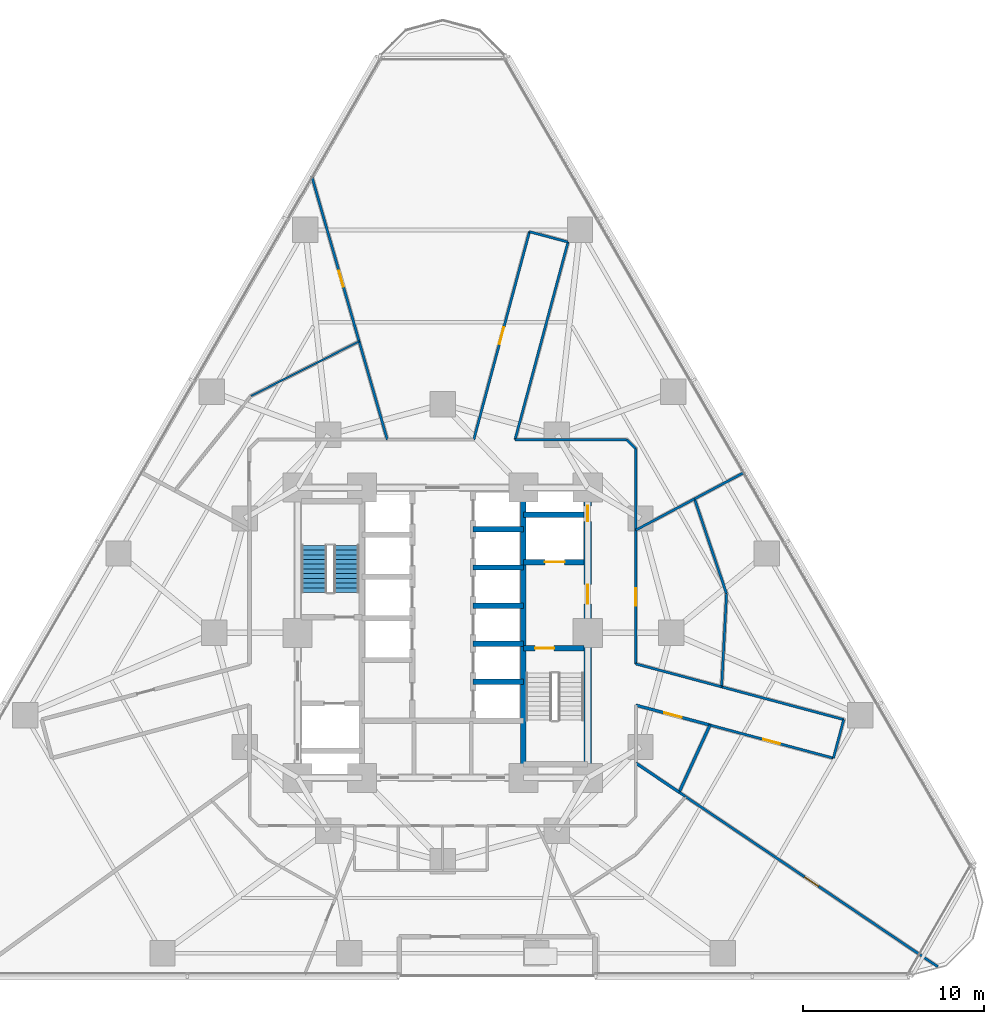
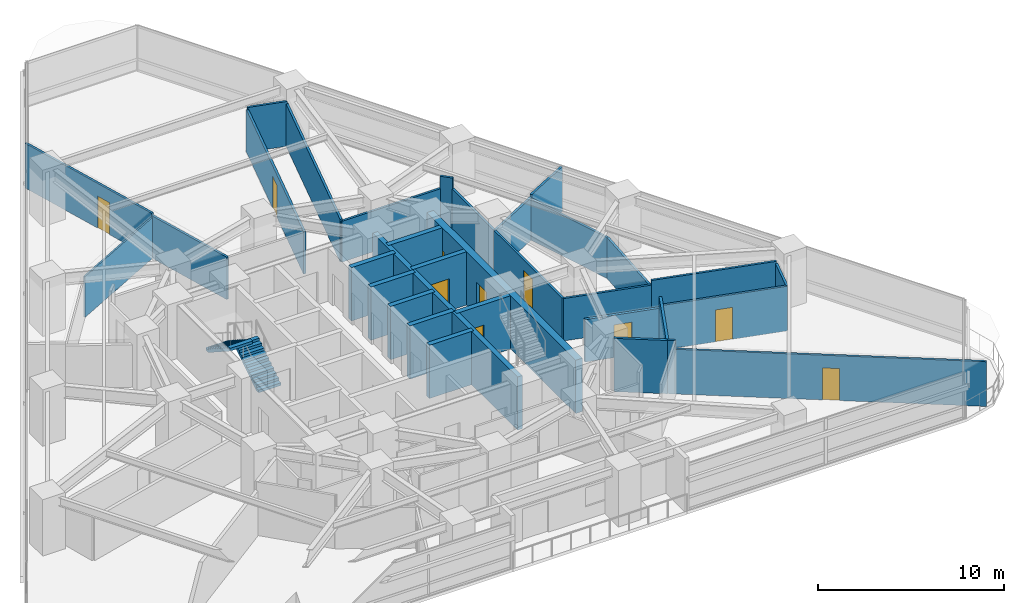
# One storey, part 10 of 16: 33 walls, 10 doors, 2 stair flights, 10 openings, 1 element without a shape of its own.
"""IFC4 building model written with IfcOpenShell, lengths in metres."""

from ifc_helpers import new_model, si_unit, direction, frame, frame_2d, origin, place, context, subcontext, project, spatial, polyline, rectangle, outline, extrude, material, layer, layer_set, type_object, element, fill, aggregate, save


model = new_model("IFC4")

# Units and contexts
model_context = context("Model", 3, precision=1e-05, world=origin(), true_north=direction((0.0, 1.0)))
body_context = subcontext(model_context, "Body", "Model", "MODEL_VIEW")
ifc_project = project(units=[si_unit("LENGTHUNIT", "METRE"), si_unit("AREAUNIT", "SQUARE_METRE"), si_unit("VOLUMEUNIT", "CUBIC_METRE"), si_unit("PLANEANGLEUNIT", "RADIAN"), si_unit("MASSUNIT", "GRAM", prefix="KILO")], contexts=[model_context])

# Site, building, storey
site_placement = place(None, origin())
site = spatial("IfcSite", under=ifc_project, at=site_placement, CompositionType="ELEMENT")
building_placement = place(site_placement, origin())
building = spatial("IfcBuilding", under=site, at=building_placement, Name="Terralouvre Media Tower", CompositionType="ELEMENT")
storey_placement = place(building_placement, frame((0.0, 0.0, 44.5)))
storey = spatial("IfcBuildingStorey", under=building, at=storey_placement, Name="L10", CompositionType="ELEMENT", Elevation=44.5)

# Wall
ifc_material_1 = material(Name="Concrete C50/60", Category="concrete")
ifc_layer_1 = layer(ifc_material_1, 0.300048828125, Name="Core Internal Shaft Wall CW-300")
ifc_layer_set_1 = layer_set([ifc_layer_1], Name="Concrete C50/60")
wall_type_1 = type_object("IfcWallType", Name="Core Internal Shaft Wall CW-300", PredefinedType="SHEAR", material=ifc_layer_set_1)
wall_1_placement = place(storey_placement, frame((4.449951171875, -7.7900390625, 0.0), z_axis=(0.0, 0.0, 1.0), x_axis=(0.0, 1.0, 0.0)))
element("IfcWall", 1, at=wall_1_placement, inside=storey, type_object=wall_type_1, Name="L10 Core Shaft Wall SPE", PredefinedType="SHEAR", context=body_context, shape_type="SweptSolid", body=[
    extrude(rectangle(XDim=15.580078125, YDim=0.300048828125, at=frame_2d((7.7900390625, 0.0))), origin(), (0.0, 0.0, 1.0), 3.5),
])

# Wall, opening, door
wall_2_placement = place(storey_placement, frame((4.449951171875, -0.85009765625, 0.0), z_axis=(0.0, 0.0, 1.0), x_axis=(1.0, 0.0, 0.0)))
wall_2 = element("IfcWall", 2, at=wall_2_placement, inside=storey, type_object=wall_type_1, Name="L10 Core Shaft Wall ST2D", PredefinedType="SHEAR", context=body_context, shape_type="SweptSolid", body=[
    extrude(rectangle(XDim=3.340087890625, YDim=0.300048828125, at=frame_2d((1.669921875, 0.0))), origin(), (0.0, 0.0, 1.0), 3.5),
])
opening_1_placement = place(wall_2_placement, frame((0.64990234375, 0.0, 0.0)))
opening_1 = element("IfcOpeningElement", 3, at=opening_1_placement, cuts=wall_2, Name="Opening FD-01-105X215", PredefinedType="OPENING", context=body_context, shape_type="SweptSolid", body=[
    extrude(rectangle(XDim=1.050048828125, YDim=2.14990234375, at=frame_2d((0.52490234375, 1.074951171875))), frame((0.0, 0.159912109375, 0.0), z_axis=(0.0, -1.0, 0.0), x_axis=(1.0, 0.0, 0.0)), (0.0, 0.0, 1.0), 0.320068359375),
])
ifc_material_2 = material(Name="Galvanised steel fire-resisting leaf", Category="steel")
door_type_1 = type_object("IfcDoorType", Name="Stair and Firefighting Lobby Fire Door FD-01 (1050x2150)", OperationType="NOTDEFINED", PredefinedType="DOOR", material=ifc_material_2)
door_1_placement = place(opening_1_placement, origin())
door_1 = element("IfcDoor", 4, at=door_1_placement, inside=storey, type_object=door_type_1, Name="L10 ST-02 Exit Stair Door", OperationType="SINGLE_SWING_RIGHT", OverallHeight=2.14990234375, OverallWidth=1.050048828125, PredefinedType="DOOR", context=body_context, shape_type="SweptSolid", body=[
    extrude(rectangle(XDim=1.050048828125, YDim=2.14990234375, at=frame_2d((0.52490234375, 1.074951171875))), frame((0.0, 0.02490234375, 0.0), z_axis=(0.0, -1.0, 0.0), x_axis=(1.0, 0.0, 0.0)), (0.0, 0.0, 1.0), 0.050048828125),
])
fill(opening_1, door_1)

wall_3_placement = place(storey_placement, frame((4.449951171875, 3.89990234375, 0.0), z_axis=(0.0, 0.0, 1.0), x_axis=(1.0, 0.0, 0.0)))
wall_3 = element("IfcWall", 5, at=wall_3_placement, inside=storey, type_object=wall_type_1, Name="L10 Core Shaft Wall FF2S", PredefinedType="SHEAR", context=body_context, shape_type="SweptSolid", body=[
    extrude(rectangle(XDim=3.340087890625, YDim=0.300048828125, at=frame_2d((1.669921875, 0.0))), origin(), (0.0, 0.0, 1.0), 3.5),
])
opening_2_placement = place(wall_3_placement, frame((1.179931640625, 0.0, 0.0)))
opening_2 = element("IfcOpeningElement", 6, at=opening_2_placement, cuts=wall_3, Name="Opening LD-FF", PredefinedType="OPENING", context=body_context, shape_type="SweptSolid", body=[
    extrude(rectangle(XDim=1.10009765625, YDim=2.10009765625, at=frame_2d((0.550048828125, 1.050048828125))), frame((0.0, 0.159912109375, 0.0), z_axis=(0.0, -1.0, 0.0), x_axis=(1.0, 0.0, 0.0)), (0.0, 0.0, 1.0), 0.320068359375),
])
ifc_material_3 = material(Name="Stainless steel 316 handrail and balustrade", Category="steel")
door_type_2 = type_object("IfcDoorType", Name="Firefighting Lift Sliding Landing Door LD-FF", OperationType="SLIDING_TO_LEFT", PredefinedType="DOOR", material=ifc_material_3)
door_2_placement = place(opening_2_placement, origin())
door_2 = element("IfcDoor", 7, at=door_2_placement, inside=storey, type_object=door_type_2, Name="L10 Firefighting Lift FFL-02 Landing Door", OperationType="SLIDING_TO_LEFT", OverallHeight=2.10009765625, OverallWidth=1.10009765625, PredefinedType="DOOR", context=body_context, shape_type="SweptSolid", body=[
    extrude(rectangle(XDim=1.10009765625, YDim=2.10009765625, at=frame_2d((0.550048828125, 1.050048828125))), frame((0.0, 0.02490234375, 0.0), z_axis=(0.0, -1.0, 0.0), x_axis=(1.0, 0.0, 0.0)), (0.0, 0.0, 1.0), 0.050048828125),
])
fill(opening_2, door_2)

# Walls
wall_4_placement = place(storey_placement, frame((4.449951171875, 6.5, 0.0), z_axis=(0.0, 0.0, 1.0), x_axis=(1.0, 0.0, 0.0)))
element("IfcWall", 8, at=wall_4_placement, inside=storey, type_object=wall_type_1, Name="L10 Core Shaft Wall FF2N", PredefinedType="SHEAR", context=body_context, shape_type="SweptSolid", body=[
    extrude(rectangle(XDim=3.340087890625, YDim=0.300048828125, at=frame_2d((1.669921875, 0.0))), origin(), (0.0, 0.0, 1.0), 3.5),
])
for number, where, z_axis, x_axis, name in (
    (9, (1.679931640625, 1.5, 0.0), (0.0, 0.0, 1.0), (1.0, 0.0, 0.0), "L10 Core Shaft Wall PLMD0"),
    (10, (1.679931640625, 3.60009765625, 0.0), (0.0, 0.0, 1.0), (1.0, 0.0, 0.0), "L10 Core Shaft Wall PLMD1"),
    (11, (1.679931640625, 5.699951171875, 0.0), (0.0, 0.0, 1.0), (1.0, 0.0, 0.0), "L10 Core Shaft Wall PLMD2"),
    (12, (1.679931640625, -2.699951171875, 0.0), (0.0, 0.0, 1.0), (1.0, 0.0, 0.0), "L10 Core Shaft Wall PLHD1"),
    (13, (1.679931640625, -0.60009765625, 0.0), (0.0, 0.0, 1.0), (1.0, 0.0, 0.0), "L10 Core Shaft Wall PLHD2"),
):
    element("IfcWall", number, at=place(storey_placement, frame(where, z_axis=z_axis, x_axis=x_axis)), inside=storey, type_object=wall_type_1, Name=name, PredefinedType="SHEAR", context=body_context, shape_type="SweptSolid", body=[
        extrude(rectangle(XDim=2.77001953125, YDim=0.300048828125, at=frame_2d((1.385009765625, 0.0))), origin(), (0.0, 0.0, 1.0), 3.5),
    ])

# Wall, openings, doors
ifc_material_4 = material(Name="Concrete C60/75", Category="concrete")
ifc_layer_2 = layer(ifc_material_4, 0.419921875, Name="Core Reinforced Concrete Shear Wall CW-420")
ifc_layer_set_2 = layer_set([ifc_layer_2], Name="Concrete C60/75")
wall_type_2 = type_object("IfcWallType", Name="Core Reinforced Concrete Shear Wall CW-420", PredefinedType="SHEAR", material=ifc_layer_set_2)
wall_5_placement = place(storey_placement, frame((8.0, -8.0, 0.0), z_axis=(0.0, 0.0, 1.0), x_axis=(0.0, 1.0, 0.0)))
wall_5 = element("IfcWall", 14, at=wall_5_placement, inside=storey, type_object=wall_type_2, Name="L10 E Core Shear Wall", PredefinedType="SHEAR", context=body_context, shape_type="SweptSolid", body=[
    extrude(rectangle(XDim=16.0, YDim=0.419921875, at=frame_2d((8.0, 0.0))), origin(), (0.0, 0.0, 1.0), 3.5),
])
opening_3_placement = place(wall_5_placement, frame((9.60009765625, 0.0, 0.0)))
opening_3 = element("IfcOpeningElement", 15, at=opening_3_placement, cuts=wall_5, Name="Opening FD-01-105X215", PredefinedType="OPENING", context=body_context, shape_type="SweptSolid", body=[
    extrude(rectangle(XDim=1.050048828125, YDim=2.14990234375, at=frame_2d((0.52490234375, 1.074951171875))), frame((0.0, 0.219970703125, 0.0), z_axis=(0.0, -1.0, 0.0), x_axis=(1.0, 0.0, 0.0)), (0.0, 0.0, 1.0), 0.43994140625),
])
opening_4_placement = place(wall_5_placement, frame((14.148193359375, 0.0, 0.0)))
opening_4 = element("IfcOpeningElement", 16, at=opening_4_placement, cuts=wall_5, Name="Opening TD-R1", PredefinedType="OPENING", context=body_context, shape_type="SweptSolid", body=[
    extrude(rectangle(XDim=0.85009765625, YDim=2.02001953125, at=frame_2d((0.425048828125, 1.010009765625))), frame((0.0, 0.219970703125, 0.0), z_axis=(0.0, -1.0, 0.0), x_axis=(1.0, 0.0, 0.0)), (0.0, 0.0, 1.0), 0.43994140625),
])
ifc_material_5 = material(Name="Galvanised steel fire-resisting leaf", Category="steel")
door_type_3 = type_object("IfcDoorType", Name="Riser Inspection Access Trapdoor TD-R1", OperationType="NOTDEFINED", PredefinedType="TRAPDOOR", material=ifc_material_5)
door_3_placement = place(opening_4_placement, origin())
door_3 = element("IfcDoor", 17, at=door_3_placement, inside=storey, type_object=door_type_3, Name="L10 East Comms Riser Access Trapdoor", OperationType="SINGLE_SWING_RIGHT", OverallHeight=2.02001953125, OverallWidth=0.85009765625, PredefinedType="TRAPDOOR", context=body_context, shape_type="SweptSolid", body=[
    extrude(rectangle(XDim=0.85009765625, YDim=2.02001953125, at=frame_2d((0.425048828125, 1.010009765625))), frame((0.0, 0.02490234375, 0.0), z_axis=(0.0, -1.0, 0.0), x_axis=(1.0, 0.0, 0.0)), (0.0, 0.0, 1.0), 0.050048828125),
])
fill(opening_4, door_3)
door_4_placement = place(opening_3_placement, origin())
door_4 = element("IfcDoor", 18, at=door_4_placement, inside=storey, type_object=door_type_1, Name="L10 East Firefighting Lobby Entry Door", OperationType="SINGLE_SWING_LEFT", OverallHeight=2.14990234375, OverallWidth=1.050048828125, PredefinedType="DOOR", context=body_context, shape_type="SweptSolid", body=[
    extrude(rectangle(XDim=1.050048828125, YDim=2.14990234375, at=frame_2d((0.52490234375, 1.074951171875))), frame((0.0, 0.02490234375, 0.0), z_axis=(0.0, -1.0, 0.0), x_axis=(1.0, 0.0, 0.0)), (0.0, 0.0, 1.0), 0.050048828125),
])
fill(opening_3, door_4)

# Walls
ifc_material_6 = material(Name="Low-iron laminated double glazing with solar-control coating", Category="glass")
ifc_layer_3 = layer(ifc_material_6, 0.10009765625, Name="Demountable Glazed Office Partition PT-GL100")
ifc_layer_set_3 = layer_set([ifc_layer_3], Name="Low-iron laminated double glazing with solar-control coating")
wall_type_3 = type_object("IfcWallType", Name="Demountable Glazed Office Partition PT-GL100", PredefinedType="MOVABLE", material=ifc_layer_set_3)
wall_6_placement = place(storey_placement, frame((-10.572998046875, 13.055908203125, 0.0), z_axis=(0.0, 0.0, 1.0), x_axis=(0.893012396789, 0.450032064615, 0.0)))
element("IfcWall", 19, at=wall_6_placement, inside=storey, type_object=wall_type_3, Name="L10 Interior Partition 064", PredefinedType="MOVABLE", context=body_context, shape_type="SweptSolid", body=[
    extrude(rectangle(XDim=6.681884765625, YDim=0.10009765625, at=frame_2d((3.3408203125, 0.0))), origin(), (0.0, 0.0, 1.0), 2.68505859375),
])
ifc_material_7 = material(Name="Fire-rated gypsum board drywall partition")
ifc_layer_4 = layer(ifc_material_7, 0.135009765625, Name="Newsroom Acoustic Partition PT-135")
ifc_layer_set_4 = layer_set([ifc_layer_4], Name="Fire-rated gypsum board drywall partition")
wall_type_4 = type_object("IfcWallType", Name="Newsroom Acoustic Partition PT-135", PredefinedType="PARTITIONING", material=ifc_layer_set_4)
wall_7_placement = place(storey_placement, frame((10.64990234375, 5.6630859375, 0.0), z_axis=(0.0, 0.0, 1.0), x_axis=(0.0, 1.0, 0.0)))
element("IfcWall", 20, at=wall_7_placement, inside=storey, type_object=wall_type_4, Name="L10 Interior Partition 001", PredefinedType="PARTITIONING", context=body_context, shape_type="SweptSolid", body=[
    extrude(rectangle(XDim=4.48681640625, YDim=0.135009765625, at=frame_2d((2.243408203125, 0.0))), origin(), (0.0, 0.0, 1.0), 2.784912109375),
])
wall_8_placement = place(storey_placement, frame((10.64990234375, 10.14990234375, 0.0), z_axis=(0.0, 0.0, 1.0), x_axis=(-0.707106781187, 0.707106781187, 0.0)))
element("IfcWall", 21, at=wall_8_placement, inside=storey, type_object=wall_type_4, Name="L10 Interior Partition 002", PredefinedType="PARTITIONING", context=body_context, shape_type="SweptSolid", body=[
    extrude(rectangle(XDim=0.70703125, YDim=0.135009765625, at=frame_2d((0.353515625, 0.0))), origin(), (0.0, 0.0, 1.0), 3.5),
])
wall_9_placement = place(storey_placement, frame((10.14990234375, 10.64990234375, 0.0), z_axis=(0.0, 0.0, 1.0), x_axis=(-1.0, 0.0, 0.0)))
element("IfcWall", 22, at=wall_9_placement, inside=storey, type_object=wall_type_4, Name="L10 Interior Partition 003", PredefinedType="PARTITIONING", context=body_context, shape_type="SweptSolid", body=[
    extrude(rectangle(XDim=6.157958984375, YDim=0.135009765625, at=frame_2d((3.0791015625, 0.0))), origin(), (0.0, 0.0, 1.0), 2.68505859375),
])
wall_10_placement = place(storey_placement, frame((3.991943359375, 10.64990234375, 0.0), z_axis=(0.0, 0.0, 1.0), x_axis=(0.258889712088, 0.965906888357, 0.0)))
element("IfcWall", 23, at=wall_10_placement, inside=storey, type_object=wall_type_4, Name="L10 Interior Partition 004", PredefinedType="PARTITIONING", context=body_context, shape_type="SweptSolid", body=[
    extrude(rectangle(XDim=11.279541015625, YDim=0.135009765625, at=frame_2d((5.6396484375, 0.0))), origin(), (0.0, 0.0, 1.0), 2.784912109375),
])
wall_11_placement = place(storey_placement, frame((6.912109375, 21.544921875, 0.0), z_axis=(0.0, 0.0, 1.0), x_axis=(-0.965848933329, 0.259105843213, 0.0)))
element("IfcWall", 24, at=wall_11_placement, inside=storey, type_object=wall_type_4, Name="L10 Interior Partition 005", PredefinedType="PARTITIONING", context=body_context, shape_type="SweptSolid", body=[
    extrude(rectangle(XDim=2.2001953125, YDim=0.135009765625, at=frame_2d((1.10009765625, 0.0))), origin(), (0.0, 0.0, 1.0), 2.93505859375),
])

# Wall, opening, door
wall_12_placement = place(storey_placement, frame((4.787109375, 22.114990234375, 0.0), z_axis=(0.0, 0.0, 1.0), x_axis=(-0.258815935688, -0.965926659449, 0.0)))
wall_12 = element("IfcWall", 25, at=wall_12_placement, inside=storey, type_object=wall_type_4, Name="L10 Interior Partition 006", PredefinedType="PARTITIONING", context=body_context, shape_type="SweptSolid", body=[
    extrude(rectangle(XDim=11.86962890625, YDim=0.135009765625, at=frame_2d((5.934814453125, 0.0))), origin(), (0.0, 0.0, 1.0), 2.784912109375),
])
opening_5_placement = place(wall_12_placement, frame((5.459716796875, 0.0, 0.0)))
opening_5 = element("IfcOpeningElement", 26, at=opening_5_placement, cuts=wall_12, Name="Opening ID-02-95X210", PredefinedType="OPENING", context=body_context, shape_type="SweptSolid", body=[
    extrude(rectangle(XDim=0.949951171875, YDim=2.10009765625, at=frame_2d((0.47509765625, 1.050048828125))), frame((0.0, 0.077392578125, 0.0), z_axis=(0.0, -1.0, 0.0), x_axis=(1.0, 0.0, 0.0)), (0.0, 0.0, 1.0), 0.155029296875),
])
ifc_material_8 = material(Name="Engineered hardwood acoustic timber leaf", Category="wood")
door_type_4 = type_object("IfcDoorType", Name="Office and Meeting Room Door ID-02 (950x2100)", OperationType="NOTDEFINED", PredefinedType="DOOR", material=ifc_material_8)
door_5_placement = place(opening_5_placement, origin())
door_5 = element("IfcDoor", 27, at=door_5_placement, inside=storey, type_object=door_type_4, Name="L10 Broadcast Floor Crew Room 1 Door", OperationType="SINGLE_SWING_RIGHT", OverallHeight=2.10009765625, OverallWidth=0.949951171875, PredefinedType="DOOR", context=body_context, shape_type="SweptSolid", body=[
    extrude(rectangle(XDim=0.949951171875, YDim=2.10009765625, at=frame_2d((0.47509765625, 1.050048828125))), frame((0.0, 0.02490234375, 0.0), z_axis=(0.0, -1.0, 0.0), x_axis=(1.0, 0.0, 0.0)), (0.0, 0.0, 1.0), 0.050048828125),
])
fill(opening_5, door_5)

wall_13_placement = place(storey_placement, frame((14.739990234375, -5.087890625, 0.0), z_axis=(0.0, 0.0, 1.0), x_axis=(0.965895912523, -0.258930659002, 0.0)))
wall_13 = element("IfcWall", 28, at=wall_13_placement, inside=storey, type_object=wall_type_4, Name="L10 Interior Partition 015", PredefinedType="PARTITIONING", context=body_context, shape_type="SweptSolid", body=[
    extrude(rectangle(XDim=7.045166015625, YDim=0.135009765625, at=frame_2d((3.5224609375, 0.0))), origin(), (0.0, 0.0, 1.0), 2.93505859375),
])
opening_6_placement = place(wall_13_placement, frame((3.047607421875, 0.0, 0.0)))
opening_6 = element("IfcOpeningElement", 29, at=opening_6_placement, cuts=wall_13, Name="Opening ID-02-95X210", PredefinedType="OPENING", context=body_context, shape_type="SweptSolid", body=[
    extrude(rectangle(XDim=0.949951171875, YDim=2.10009765625, at=frame_2d((0.47509765625, 1.050048828125))), frame((0.0, 0.077392578125, 0.0), z_axis=(0.0, -1.0, 0.0), x_axis=(1.0, 0.0, 0.0)), (0.0, 0.0, 1.0), 0.155029296875),
])
door_6_placement = place(opening_6_placement, origin())
door_6 = element("IfcDoor", 30, at=door_6_placement, inside=storey, type_object=door_type_4, Name="L10 Creative Set Workshop 4 Door", OperationType="SINGLE_SWING_LEFT", OverallHeight=2.10009765625, OverallWidth=0.949951171875, PredefinedType="DOOR", context=body_context, shape_type="SweptSolid", body=[
    extrude(rectangle(XDim=0.949951171875, YDim=2.10009765625, at=frame_2d((0.47509765625, 1.050048828125))), frame((0.0, 0.02490234375, 0.0), z_axis=(0.0, -1.0, 0.0), x_axis=(1.0, 0.0, 0.0)), (0.0, 0.0, 1.0), 0.050048828125),
])
fill(opening_6, door_6)

# Walls
wall_14_placement = place(storey_placement, frame((21.544921875, -6.912109375, 0.0), z_axis=(0.0, 0.0, 1.0), x_axis=(0.259105843213, 0.965848933329, 0.0)))
element("IfcWall", 31, at=wall_14_placement, inside=storey, type_object=wall_type_4, Name="L10 Interior Partition 016", PredefinedType="PARTITIONING", context=body_context, shape_type="SweptSolid", body=[
    extrude(rectangle(XDim=2.2001953125, YDim=0.135009765625, at=frame_2d((1.10009765625, 0.0))), origin(), (0.0, 0.0, 1.0), 2.93505859375),
])
wall_15_placement = place(storey_placement, frame((22.114990234375, -4.787109375, 0.0), z_axis=(0.0, 0.0, 1.0), x_axis=(-0.965912084765, 0.258870323726, 0.0)))
element("IfcWall", 32, at=wall_15_placement, inside=storey, type_object=wall_type_4, Name="L10 Interior Partition 017", PredefinedType="PARTITIONING", context=body_context, shape_type="SweptSolid", body=[
    extrude(rectangle(XDim=6.969482421875, YDim=0.135009765625, at=frame_2d((3.48486328125, 0.0))), origin(), (0.0, 0.0, 1.0), 3.0849609375),
])
wall_16_placement = place(storey_placement, frame((15.383056640625, -2.98291015625, 0.0), z_axis=(0.0, 0.0, 1.0), x_axis=(-0.965947384406, 0.258738575706, 0.0)))
element("IfcWall", 33, at=wall_16_placement, inside=storey, type_object=wall_type_4, Name="L10 Interior Partition 018", PredefinedType="PARTITIONING", context=body_context, shape_type="SweptSolid", body=[
    extrude(rectangle(XDim=4.89990234375, YDim=0.135009765625, at=frame_2d((2.449951171875, 0.0))), origin(), (0.0, 0.0, 1.0), 2.784912109375),
])

# Wall, opening, door
wall_17_placement = place(storey_placement, frame((10.64990234375, -1.715087890625, 0.0), z_axis=(0.0, 0.0, 1.0), x_axis=(0.0, 1.0, 0.0)))
wall_17 = element("IfcWall", 34, at=wall_17_placement, inside=storey, type_object=wall_type_4, Name="L10 Interior Partition 019", PredefinedType="PARTITIONING", context=body_context, shape_type="SweptSolid", body=[
    extrude(rectangle(XDim=7.378173828125, YDim=0.135009765625, at=frame_2d((3.68896484375, 0.0))), origin(), (0.0, 0.0, 1.0), 2.784912109375),
])
opening_7_placement = place(wall_17_placement, frame((3.214111328125, 0.0, 0.0)))
opening_7 = element("IfcOpeningElement", 35, at=opening_7_placement, cuts=wall_17, Name="Opening ID-02-95X210", PredefinedType="OPENING", context=body_context, shape_type="SweptSolid", body=[
    extrude(rectangle(XDim=0.949951171875, YDim=2.10009765625, at=frame_2d((0.47509765625, 1.050048828125))), frame((0.0, 0.077392578125, 0.0), z_axis=(0.0, -1.0, 0.0), x_axis=(1.0, 0.0, 0.0)), (0.0, 0.0, 1.0), 0.155029296875),
])
door_7_placement = place(opening_7_placement, origin())
door_7 = element("IfcDoor", 36, at=door_7_placement, inside=storey, type_object=door_type_4, Name="L10 Editorial Collaborative Open Office 5 Door", OperationType="SINGLE_SWING_RIGHT", OverallHeight=2.10009765625, OverallWidth=0.949951171875, PredefinedType="DOOR", context=body_context, shape_type="SweptSolid", body=[
    extrude(rectangle(XDim=0.949951171875, YDim=2.10009765625, at=frame_2d((0.47509765625, 1.050048828125))), frame((0.0, 0.02490234375, 0.0), z_axis=(0.0, -1.0, 0.0), x_axis=(1.0, 0.0, 0.0)), (0.0, 0.0, 1.0), 0.050048828125),
])
fill(opening_7, door_7)

# Walls
wall_18_placement = place(storey_placement, frame((13.885986328125, 7.383056640625, 0.0), z_axis=(0.0, 0.0, 1.0), x_axis=(0.88293033741, 0.469504014126, 0.0)))
element("IfcWall", 37, at=wall_18_placement, inside=storey, type_object=wall_type_4, Name="L10 Interior Partition 033", PredefinedType="PARTITIONING", context=body_context, shape_type="SweptSolid", body=[
    extrude(rectangle(XDim=3.12158203125, YDim=0.135009765625, at=frame_2d((1.560791015625, 0.0))), origin(), (0.0, 0.0, 1.0), 2.93505859375),
])
wall_19_placement = place(storey_placement, frame((10.64990234375, 5.6630859375, 0.0), z_axis=(0.0, 0.0, 1.0), x_axis=(0.88302513666, 0.469325695041, 0.0)))
element("IfcWall", 38, at=wall_19_placement, inside=storey, type_object=wall_type_4, Name="L10 Interior Partition 034", PredefinedType="PARTITIONING", context=body_context, shape_type="SweptSolid", body=[
    extrude(rectangle(XDim=3.664794921875, YDim=0.135009765625, at=frame_2d((1.83251953125, 0.0))), origin(), (0.0, 0.0, 1.0), 2.784912109375),
])

# Wall, opening, door
wall_20_placement = place(storey_placement, frame((-7.21826171875, 25.171142578125, 0.0), z_axis=(0.0, 0.0, 1.0), x_axis=(0.275694254482, -0.961245378686, 0.0)))
wall_20 = element("IfcWall", 39, at=wall_20_placement, inside=storey, type_object=wall_type_4, Name="L10 Interior Partition 035", PredefinedType="PARTITIONING", context=body_context, shape_type="SweptSolid", body=[
    extrude(rectangle(XDim=9.475341796875, YDim=0.135009765625, at=frame_2d((4.73779296875, 0.0))), origin(), (0.0, 0.0, 1.0), 2.93505859375),
])
opening_8_placement = place(wall_20_placement, frame((5.414794921875, 0.0, 0.0)))
opening_8 = element("IfcOpeningElement", 40, at=opening_8_placement, cuts=wall_20, Name="Opening ID-03-92X210", PredefinedType="OPENING", context=body_context, shape_type="SweptSolid", body=[
    extrude(rectangle(XDim=0.919921875, YDim=2.10009765625, at=frame_2d((0.4599609375, 1.050048828125))), frame((0.0, 0.077392578125, 0.0), z_axis=(0.0, -1.0, 0.0), x_axis=(1.0, 0.0, 0.0)), (0.0, 0.0, 1.0), 0.155029296875),
])
ifc_material_9 = material(Name="Engineered hardwood acoustic timber leaf", Category="wood")
door_type_5 = type_object("IfcDoorType", Name="Accessible Restroom and Suite Door ID-03 (920x2100)", OperationType="NOTDEFINED", PredefinedType="DOOR", material=ifc_material_9)
door_8_placement = place(opening_8_placement, origin())
door_8 = element("IfcDoor", 41, at=door_8_placement, inside=storey, type_object=door_type_5, Name="L10 Script Readout Seminar Room 11 Door", OperationType="SINGLE_SWING_RIGHT", OverallHeight=2.10009765625, OverallWidth=0.919921875, PredefinedType="DOOR", context=body_context, shape_type="SweptSolid", body=[
    extrude(rectangle(XDim=0.919921875, YDim=2.10009765625, at=frame_2d((0.4599609375, 1.050048828125))), frame((0.0, 0.02490234375, 0.0), z_axis=(0.0, -1.0, 0.0), x_axis=(1.0, 0.0, 0.0)), (0.0, 0.0, 1.0), 0.050048828125),
])
fill(opening_8, door_8)

# Walls
wall_21_placement = place(storey_placement, frame((-4.60595703125, 16.06298828125, 0.0), z_axis=(0.0, 0.0, 1.0), x_axis=(0.275608564, -0.961269951392, 0.0)))
element("IfcWall", 42, at=wall_21_placement, inside=storey, type_object=wall_type_4, Name="L10 Interior Partition 036", PredefinedType="PARTITIONING", context=body_context, shape_type="SweptSolid", body=[
    extrude(rectangle(XDim=5.631103515625, YDim=0.135009765625, at=frame_2d((2.8154296875, 0.0))), origin(), (0.0, 0.0, 1.0), 2.784912109375),
])
wall_22_placement = place(storey_placement, frame((13.885986328125, 7.383056640625, 0.0), z_axis=(0.0, 0.0, 1.0), x_axis=(0.320099223205, -0.947384023141, 0.0)))
element("IfcWall", 43, at=wall_22_placement, inside=storey, type_object=wall_type_4, Name="L10 Interior Partition 043", PredefinedType="PARTITIONING", context=body_context, shape_type="SweptSolid", body=[
    extrude(rectangle(XDim=5.5205078125, YDim=0.135009765625, at=frame_2d((2.76025390625, 0.0))), origin(), (0.0, 0.0, 1.0), 2.68505859375),
])
wall_23_placement = place(storey_placement, frame((15.653076171875, 2.153076171875, 0.0), z_axis=(0.0, 0.0, 1.0), x_axis=(-0.05250152841, -0.998620843721, 0.0)))
element("IfcWall", 44, at=wall_23_placement, inside=storey, type_object=wall_type_4, Name="L10 Interior Partition 044", PredefinedType="PARTITIONING", context=body_context, shape_type="SweptSolid", body=[
    extrude(rectangle(XDim=5.14306640625, YDim=0.135009765625, at=frame_2d((2.571533203125, 0.0))), origin(), (0.0, 0.0, 1.0), 2.68505859375),
])
wall_24_placement = place(storey_placement, frame((13.0380859375, -8.7939453125, 0.0), z_axis=(0.0, 0.0, 1.0), x_axis=(0.828163729679, -0.560486250361, 0.0)))
element("IfcWall", 45, at=wall_24_placement, inside=storey, type_object=wall_type_4, Name="L10 Interior Partition 045", PredefinedType="PARTITIONING", context=body_context, shape_type="SweptSolid", body=[
    extrude(rectangle(XDim=0.417724609375, YDim=0.135009765625, at=frame_2d((0.208984375, 0.0))), origin(), (0.0, 0.0, 1.0), 3.5),
])

# Wall, opening, door
wall_25_placement = place(storey_placement, frame((13.384033203125, -9.028076171875, 0.0), z_axis=(0.0, 0.0, 1.0), x_axis=(0.829042972493, -0.55918489765, 0.0)))
wall_25 = element("IfcWall", 46, at=wall_25_placement, inside=storey, type_object=wall_type_4, Name="L10 Interior Partition 046", PredefinedType="PARTITIONING", context=body_context, shape_type="SweptSolid", body=[
    extrude(rectangle(XDim=16.791259765625, YDim=0.135009765625, at=frame_2d((8.3955078125, 0.0))), origin(), (0.0, 0.0, 1.0), 2.93505859375),
])
opening_9_placement = place(wall_25_placement, frame((7.935546875, 0.0, 0.0)))
opening_9 = element("IfcOpeningElement", 47, at=opening_9_placement, cuts=wall_25, Name="Opening ID-03-92X210", PredefinedType="OPENING", context=body_context, shape_type="SweptSolid", body=[
    extrude(rectangle(XDim=0.919921875, YDim=2.10009765625, at=frame_2d((0.4599609375, 1.050048828125))), frame((0.0, 0.077392578125, 0.0), z_axis=(0.0, -1.0, 0.0), x_axis=(1.0, 0.0, 0.0)), (0.0, 0.0, 1.0), 0.155029296875),
])
door_9_placement = place(opening_9_placement, origin())
door_9 = element("IfcDoor", 48, at=door_9_placement, inside=storey, type_object=door_type_5, Name="L10 Production Catering Galley 10 Door", OperationType="SINGLE_SWING_LEFT", OverallHeight=2.10009765625, OverallWidth=0.919921875, PredefinedType="DOOR", context=body_context, shape_type="SweptSolid", body=[
    extrude(rectangle(XDim=0.919921875, YDim=2.10009765625, at=frame_2d((0.4599609375, 1.050048828125))), frame((0.0, 0.02490234375, 0.0), z_axis=(0.0, -1.0, 0.0), x_axis=(1.0, 0.0, 0.0)), (0.0, 0.0, 1.0), 0.050048828125),
])
fill(opening_9, door_9)

ifc_material_10 = material(Name="Fire-rated gypsum board drywall partition")
ifc_layer_5 = layer(ifc_material_10, 0.159912109375, Name="Studio Acoustic Rated Partition PT-160")
ifc_layer_set_5 = layer_set([ifc_layer_5], Name="Fire-rated gypsum board drywall partition")
wall_type_5 = type_object("IfcWallType", Name="Studio Acoustic Rated Partition PT-160", PredefinedType="PARTITIONING", material=ifc_layer_set_5)
wall_26_placement = place(storey_placement, frame((10.64990234375, -3.991943359375, 0.0), z_axis=(0.0, 0.0, 1.0), x_axis=(0.965925146235, -0.258821583086, 0.0)))
wall_26 = element("IfcWall", 49, at=wall_26_placement, inside=storey, type_object=wall_type_5, Name="L10 Interior Partition 014", PredefinedType="PARTITIONING", context=body_context, shape_type="SweptSolid", body=[
    extrude(rectangle(XDim=4.234375, YDim=0.159912109375, at=frame_2d((2.1171875, 0.0))), origin(), (0.0, 0.0, 1.0), 2.784912109375),
])
opening_10_placement = place(wall_26_placement, frame((1.6171875, 0.0, 0.0)))
opening_10 = element("IfcOpeningElement", 50, at=opening_10_placement, cuts=wall_26, Name="Opening ID-01-100X215", PredefinedType="OPENING", context=body_context, shape_type="SweptSolid", body=[
    extrude(rectangle(XDim=1.0, YDim=2.14990234375, at=frame_2d((0.5, 1.074951171875))), frame((0.0, 0.08984375, 0.0), z_axis=(0.0, -1.0, 0.0), x_axis=(1.0, 0.0, 0.0)), (0.0, 0.0, 1.0), 0.179931640625),
])
ifc_material_11 = material(Name="Engineered hardwood acoustic timber leaf", Category="wood")
door_type_6 = type_object("IfcDoorType", Name="Broadcast Studio Acoustic Single Door ID-01 (1000x2150)", OperationType="NOTDEFINED", PredefinedType="DOOR", material=ifc_material_11)
door_10_placement = place(opening_10_placement, origin())
door_10 = element("IfcDoor", 51, at=door_10_placement, inside=storey, type_object=door_type_6, Name="L10 Preview Screening Cinema 3 Door", OperationType="SINGLE_SWING_RIGHT", OverallHeight=2.14990234375, OverallWidth=1.0, PredefinedType="DOOR", context=body_context, shape_type="SweptSolid", body=[
    extrude(rectangle(XDim=1.0, YDim=2.14990234375, at=frame_2d((0.5, 1.074951171875))), frame((0.0, 0.02490234375, 0.0), z_axis=(0.0, -1.0, 0.0), x_axis=(1.0, 0.0, 0.0)), (0.0, 0.0, 1.0), 0.050048828125),
])
fill(opening_10, door_10)

# Walls
wall_27_placement = place(storey_placement, frame((13.0380859375, -8.7939453125, 0.0), z_axis=(0.0, 0.0, 1.0), x_axis=(0.417322480709, 0.908758464662, 0.0)))
element("IfcWall", 52, at=wall_27_placement, inside=storey, type_object=wall_type_5, Name="L10 Interior Partition 041", PredefinedType="PARTITIONING", context=body_context, shape_type="SweptSolid", body=[
    extrude(rectangle(XDim=4.078125, YDim=0.159912109375, at=frame_2d((2.0390625, 0.0))), origin(), (0.0, 0.0, 1.0), 3.5),
])
wall_28_placement = place(storey_placement, frame((10.64990234375, -7.18408203125, 0.0), z_axis=(0.0, 0.0, 1.0), x_axis=(0.829196392101, -0.558957371654, 0.0)))
element("IfcWall", 53, at=wall_28_placement, inside=storey, type_object=wall_type_5, Name="L10 Interior Partition 042", PredefinedType="PARTITIONING", context=body_context, shape_type="SweptSolid", body=[
    extrude(rectangle(XDim=2.880126953125, YDim=0.159912109375, at=frame_2d((1.43994140625, 0.0))), origin(), (0.0, 0.0, 1.0), 3.5),
])

# Stair, stair flights
ifc_material_12 = material(Name="Concrete C45/55", Category="concrete")
stair_type = type_object("IfcStairType", Name="Dogleg Stair Assembly ST-01", PredefinedType="HALF_TURN_STAIR", material=ifc_material_12)
stair_placement = place(storey_placement, origin())
stair = element("IfcStair", 54, at=stair_placement, inside=storey, type_object=stair_type, Name="L10 Core Pressurised Exit Stair ST-01", PredefinedType="HALF_TURN_STAIR")
ifc_material_13 = material(Name="Concrete C45/55", Category="concrete")
stair_flight_type = type_object("IfcStairFlightType", Name="Reinforced Concrete Stair Flight SF-RC1", PredefinedType="STRAIGHT", material=ifc_material_13)
stair_flight_1_placement = place(storey_placement, frame((-5.300048828125, 2.219970703125, 0.0), z_axis=(0.0, 0.0, 1.0), x_axis=(0.0, 1.0, 0.0)))
stair_flight_1 = element("IfcStairFlight", 55, at=stair_flight_1_placement, type_object=stair_flight_type, Name="ST-01 flight 1", NumberOfRisers=11, NumberOfTreads=10, PredefinedType="STRAIGHT", RiserHeight=0.168181818, TreadLength=0.26, context=body_context, shape_type="SweptSolid", body=[
    extrude(outline(polyline([(0.0, 0.0), (0.0, 0.168212890625), (0.260009765625, 0.168212890625), (0.260009765625, 0.33642578125), (0.52001953125, 0.33642578125), (0.52001953125, 0.504638671875), (0.780029296875, 0.504638671875), (0.780029296875, 0.672607421875), (1.0400390625, 0.672607421875), (1.0400390625, 0.8408203125), (1.300048828125, 0.8408203125), (1.300048828125, 1.009033203125), (1.56005859375, 1.009033203125), (1.56005859375, 1.17724609375), (1.820068359375, 1.17724609375), (1.820068359375, 1.345458984375), (2.080078125, 1.345458984375), (2.080078125, 1.513671875), (2.340087890625, 1.513671875), (2.340087890625, 1.681884765625), (2.60009765625, 1.681884765625), (2.60009765625, 1.85009765625), (2.60009765625, 1.503173828125), (0.27587890625, 0.0), (0.0, 0.0)])), frame((0.0, 0.699951171875, 0.0), z_axis=(0.0, -1.0, 0.0), x_axis=(1.0, 0.0, 0.0)), (0.0, 0.0, 1.0), 1.39990234375),
])
stair_flight_2_placement = place(storey_placement, frame((-7.080078125, 4.820068359375, 1.85009765625), z_axis=(0.0, 0.0, 1.0), x_axis=(0.0, -1.0, 0.0)))
stair_flight_2 = element("IfcStairFlight", 56, at=stair_flight_2_placement, type_object=stair_flight_type, Name="ST-01 flight 2", NumberOfRisers=11, NumberOfTreads=10, PredefinedType="STRAIGHT", RiserHeight=0.168181818, TreadLength=0.26, context=body_context, shape_type="SweptSolid", body=[
    extrude(outline(polyline([(0.0, 0.0), (0.0, 0.168212890625), (0.260009765625, 0.168212890625), (0.260009765625, 0.33642578125), (0.52001953125, 0.33642578125), (0.52001953125, 0.504638671875), (0.780029296875, 0.504638671875), (0.780029296875, 0.672607421875), (1.0400390625, 0.672607421875), (1.0400390625, 0.8408203125), (1.300048828125, 0.8408203125), (1.300048828125, 1.009033203125), (1.56005859375, 1.009033203125), (1.56005859375, 1.17724609375), (1.820068359375, 1.17724609375), (1.820068359375, 1.345458984375), (2.080078125, 1.345458984375), (2.080078125, 1.513671875), (2.340087890625, 1.513671875), (2.340087890625, 1.681884765625), (2.60009765625, 1.681884765625), (2.60009765625, 1.85009765625), (2.60009765625, 1.503173828125), (0.27587890625, 0.0), (0.0, 0.0)])), frame((0.0, 0.699951171875, 0.0), z_axis=(0.0, -1.0, 0.0), x_axis=(1.0, 0.0, 0.0)), (0.0, 0.0, 1.0), 1.39990234375),
])
aggregate(stair, [stair_flight_1, stair_flight_2])

save(model, "model.ifc")
